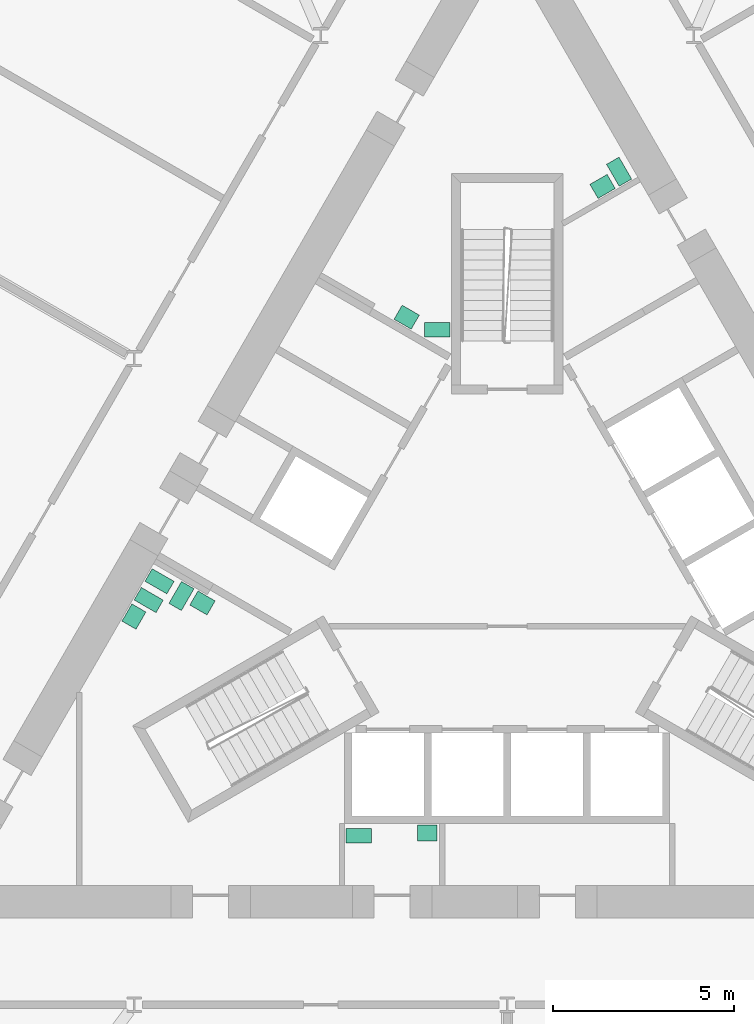
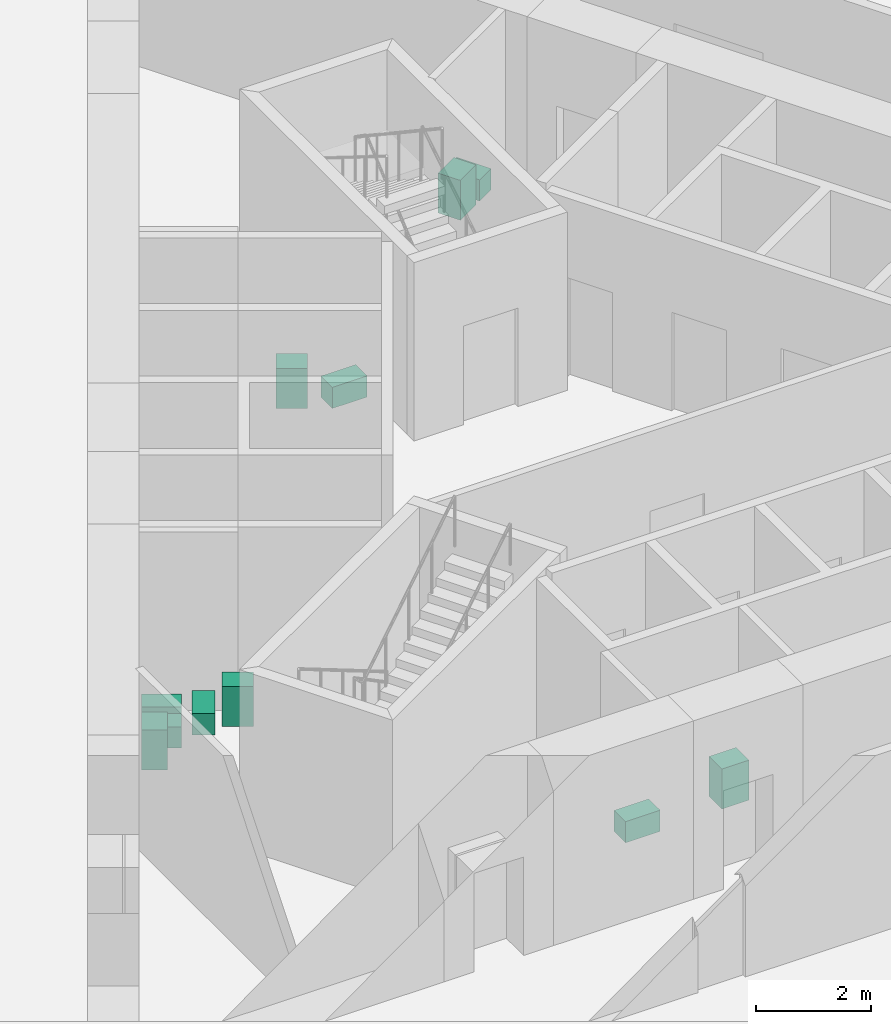
# One storey, part 20 of 21: 11 sanitary terminals.
"""IFC4 building model written with IfcOpenShell, lengths in metres."""

from ifc_helpers import new_model, si_unit, direction, frame, origin, origin_2d, place, context, subcontext, project, spatial, rectangle, extrude, material, type_object, element, save


model = new_model("IFC4")

# Units and contexts
model_context = context("Model", 3, precision=1e-05, world=origin(), true_north=direction((0.0, 1.0)))
body_context = subcontext(model_context, "Body", "Model", "MODEL_VIEW")
ifc_project = project(units=[si_unit("LENGTHUNIT", "METRE"), si_unit("AREAUNIT", "SQUARE_METRE"), si_unit("VOLUMEUNIT", "CUBIC_METRE"), si_unit("PLANEANGLEUNIT", "RADIAN"), si_unit("MASSUNIT", "GRAM", prefix="KILO")], contexts=[model_context])

# Site, building, storey
site_placement = place(None, origin())
site = spatial("IfcSite", under=ifc_project, at=site_placement, CompositionType="ELEMENT")
building_placement = place(site_placement, origin())
building = spatial("IfcBuilding", under=site, at=building_placement, Name="Cormorant Prow Tower", CompositionType="ELEMENT")
storey_placement = place(building_placement, frame((0.0, 0.0, 141.60009765625)))
storey = spatial("IfcBuildingStorey", under=building, at=storey_placement, Name="L30", CompositionType="ELEMENT", Elevation=141.60009765625)

# Sanitary terminals
ifc_material_1 = material(Name="Vitreous china")
sanitary_terminal_type_1 = type_object("IfcSanitaryTerminalType", Name="Wash basin 550x450", PredefinedType="WASHHANDBASIN", material=ifc_material_1)
for number, where, z_axis, x_axis, name in (
    (1, (-8.438232421875, -0.803466796875, -0.000244140625), (0.0, 0.0, 1.0), (-0.866034130299, 0.499984884929, 0.0), "Wash basin"),
    (2, (-10.336181640625, -1.18017578125, -0.000244140625), (0.0, 0.0, 1.0), (-0.499984884929, -0.866034130299, 0.0), "Wash basin"),
    (3, (-2.7841796875, 7.109619140625, -0.000244140625), (0.0, 0.0, 1.0), (0.866034130299, -0.499984884929, 0.0), "Wash basin"),
    (4, (2.640625, 10.730224609375, -0.000244140625), (0.0, 0.0, 1.0), (0.866025403784, 0.5, 0.0), "Wash basin"),
    (5, (-2.215087890625, -7.1708984375, -0.000244140625), (0.0, 0.0, 1.0), (-1.0, 0.0, 0.0), "Wash basin"),
):
    element("IfcSanitaryTerminal", number, at=place(storey_placement, frame(where, z_axis=z_axis, x_axis=x_axis)), inside=storey, type_object=sanitary_terminal_type_1, Name=name, PredefinedType="WASHHANDBASIN", context=body_context, shape_type="SweptSolid", body=[
        extrude(rectangle(XDim=0.550048828125, YDim=0.449951171875, at=origin_2d()), origin(), (0.0, 0.0, 1.0), 0.85009765625),
    ])
ifc_material_2 = material(Name="Vitreous china")
sanitary_terminal_type_2 = type_object("IfcSanitaryTerminalType", Name="Water closet 400x700", PredefinedType="WCSEAT", material=ifc_material_2)
for number, where, z_axis, x_axis, name in (
    (6, (-9.627685546875, -0.203369140625, 0.0), (0.0, 0.0, 1.0), (-0.499984884929, -0.866034130299, 0.0), "Water closet"),
    (7, (-9.927734375, -0.722900390625, 0.0), (0.0, 0.0, 1.0), (-0.499984884929, -0.866034130299, 0.0), "Water closet"),
    (8, (-9.0205078125, -0.61181640625, 0.0), (0.0, 0.0, 1.0), (-0.866034130299, 0.499984884929, 0.0), "Water closet"),
    (9, (-1.93408203125, 6.7568359375, 0.0), (0.0, 0.0, 1.0), (0.0, 1.0, 0.0), "Water closet"),
    (10, (3.09765625, 11.138427734375, 0.0), (0.0, 0.0, 1.0), (0.866025403784, 0.5, 0.0), "Water closet"),
    (11, (-4.110107421875, -7.24609375, 0.0), (0.0, 0.0, 1.0), (0.0, -1.0, 0.0), "Water closet"),
):
    element("IfcSanitaryTerminal", number, at=place(storey_placement, frame(where, z_axis=z_axis, x_axis=x_axis)), inside=storey, type_object=sanitary_terminal_type_2, Name=name, PredefinedType="WCSEAT", context=body_context, shape_type="SweptSolid", body=[
        extrude(rectangle(XDim=0.39990234375, YDim=0.699951171875, at=origin_2d()), origin(), (0.0, 0.0, 1.0), 0.449951171875),
    ])

save(model, "model.ifc")
